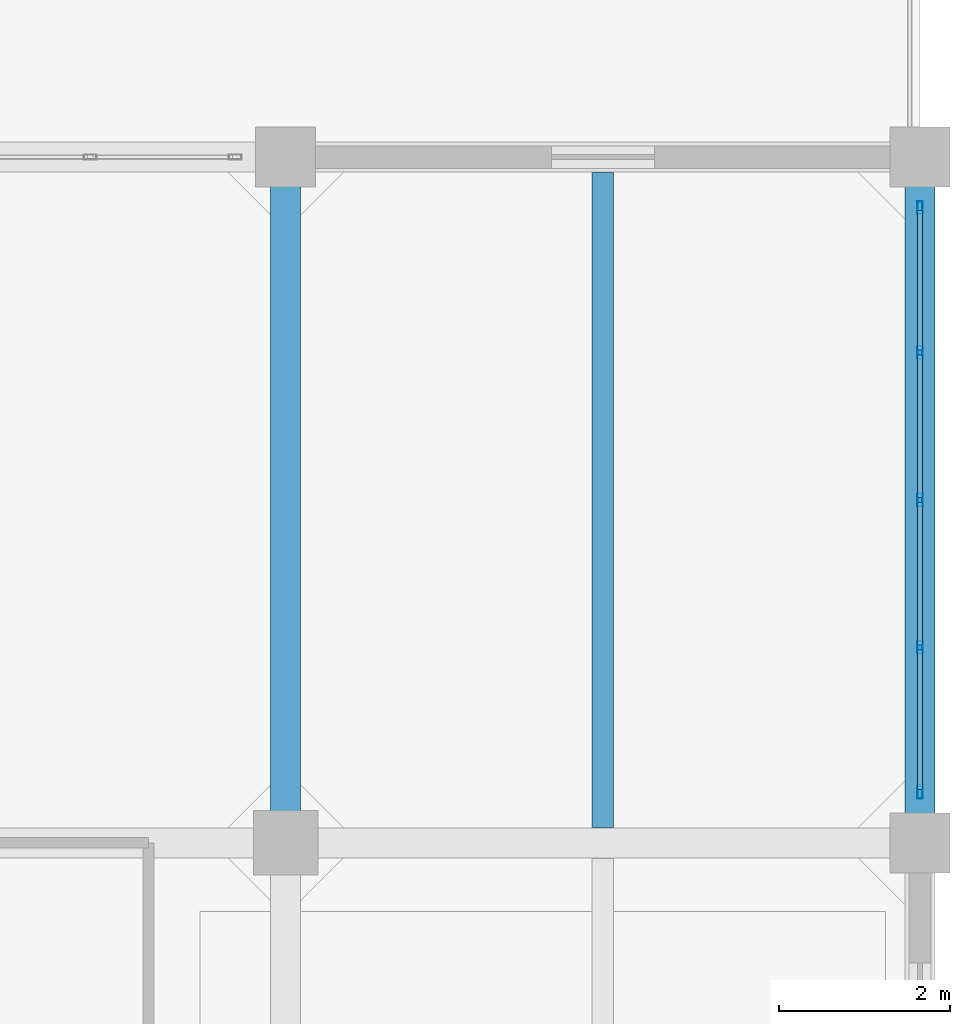
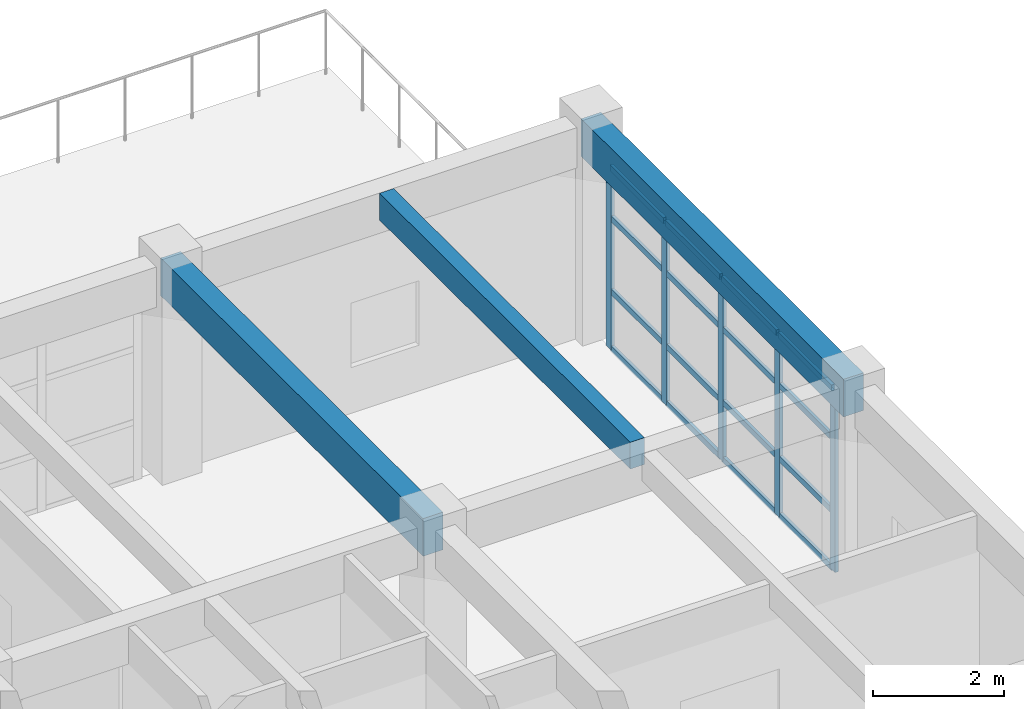
# One storey, part 10 of 19: 21 members, 3 beams, 1 element without a shape of its own.
"""IFC4 building model written with IfcOpenShell, lengths in metres."""

from ifc_helpers import new_model, si_unit, direction, frame, origin, origin_2d, place, context, subcontext, project, spatial, rectangle, hollow_rectangle, extrude, material, layer, layer_set, material_profile, profile_set, type_object, element, aggregate, save


model = new_model("IFC4")

# Units and contexts
model_context = context("Model", 3, precision=1e-05, world=origin(), true_north=direction((0.0, 1.0)))
body_context = subcontext(model_context, "Body", "Model", "MODEL_VIEW")
ifc_project = project(units=[si_unit("LENGTHUNIT", "METRE"), si_unit("AREAUNIT", "SQUARE_METRE"), si_unit("VOLUMEUNIT", "CUBIC_METRE"), si_unit("PLANEANGLEUNIT", "RADIAN"), si_unit("MASSUNIT", "GRAM", prefix="KILO")], contexts=[model_context])

# Site, building, storey
site_placement = place(None, origin())
site = spatial("IfcSite", under=ifc_project, at=site_placement, CompositionType="ELEMENT")
building_placement = place(site_placement, origin())
building = spatial("IfcBuilding", under=site, at=building_placement, Name="Canggui Botanical Conservatory", CompositionType="ELEMENT")
storey_placement = place(building_placement, frame((0.0, 0.0, 48.60009765625)))
storey = spatial("IfcBuildingStorey", under=building, at=storey_placement, Name="L12", CompositionType="ELEMENT", Elevation=48.60009765625)

# Beams
ifc_material_1 = material(Name="Concrete C35", Category="concrete")
ifc_material_profile_1 = material_profile(ifc_material_1, rectangle(XDim=0.25, YDim=0.5, at=origin_2d()), Name="RB 250x500")
ifc_profile_set_1 = profile_set([ifc_material_profile_1], Name="Concrete C35")
beam_type_1 = type_object("IfcBeamType", Name="BM-JST04", PredefinedType="JOIST", material=ifc_profile_set_1)
beam_placement = place(storey_placement, frame((173.699951171875, 58.179931640625, 3.7099609375), z_axis=(0.0, 1.0, 0.0), x_axis=(-1.0, 0.0, 0.0)))
element("IfcBeam", 1, at=beam_placement, inside=storey, type_object=beam_type_1, Name="Secondary Floor Joist L12-4-4", PredefinedType="JOIST", context=body_context, shape_type="SweptSolid", body=[
    extrude(rectangle(XDim=0.25, YDim=0.5, at=origin_2d()), origin(), (0.0, 0.0, 1.0), 7.64013671875),
])
ifc_material_profile_2 = material_profile(ifc_material_1, rectangle(XDim=0.35009765625, YDim=0.699951171875, at=origin_2d()), Name="RB 350x700")
ifc_profile_set_2 = profile_set([ifc_material_profile_2], Name="Concrete C35")
beam_type_2 = type_object("IfcBeamType", Name="BM-KL17", PredefinedType="BEAM", material=ifc_profile_set_2)
for number, where, z_axis, x_axis, name in (
    (2, (170.0, 58.0, 3.60986328125), (0.0, 1.0, 0.0), (-1.0, 0.0, 0.0), "Frame Girder L12 X170-4"),
    (3, (177.39990234375, 58.0, 3.60986328125), (0.0, 1.0, 0.0), (-1.0, 0.0, 0.0), "Frame Girder L12 X178-4"),
):
    element("IfcBeam", number, at=place(storey_placement, frame(where, z_axis=z_axis, x_axis=x_axis)), inside=storey, type_object=beam_type_2, Name=name, PredefinedType="BEAM", context=body_context, shape_type="SweptSolid", body=[
        extrude(rectangle(XDim=0.35009765625, YDim=0.699951171875, at=origin_2d()), origin(), (0.0, 0.0, 1.0), 8.0),
    ])

# Curtain wall, members
ifc_material_2 = material(Name="Thermally Broken Aluminium", Category="aluminium")
ifc_layer = layer(ifc_material_2, 0.14990234375, Name="Thermally Broken Aluminium", Category="aluminium")
ifc_layer_set = layer_set([ifc_layer], Name="Thermally Broken Aluminium")
curtain_wall_type = type_object("IfcCurtainWallType", Name="CW-UNIT-C", PredefinedType="USERDEFINED", material=ifc_layer_set)
curtain_wall_placement = place(storey_placement, origin())
curtain_wall = element("IfcCurtainWall", 4, at=curtain_wall_placement, inside=storey, type_object=curtain_wall_type, Name="Facade Curtain Wall CW-TWR-L12-12", ObjectType="UNITISED CURTAIN WALL", PredefinedType="USERDEFINED")
ifc_material_profile_3 = material_profile(ifc_material_2, hollow_rectangle(XDim=0.06005859375, YDim=0.14990234375, WallThickness=0.00341796875, at=origin_2d()), Name="CWM 60x150x3.5")
ifc_profile_set_3 = profile_set([ifc_material_profile_3], Name="Thermally Broken Aluminium")
member_type_1 = type_object("IfcMemberType", Name="CWM-03", PredefinedType="MULLION", material=ifc_profile_set_3)
member_1_placement = place(storey_placement, frame((177.39990234375, 65.409912109375, 0.0), z_axis=(0.0, 0.0, 1.0), x_axis=(1.0, 0.0, 0.0)))
member_1 = element("IfcMember", 5, at=member_1_placement, type_object=member_type_1, Name="CW-03 mullion 1", PredefinedType="MULLION", context=body_context, shape_type="SweptSolid", body=[
    extrude(hollow_rectangle(XDim=0.06005859375, YDim=0.14990234375, WallThickness=0.00341796875, at=origin_2d()), origin(), (0.0, 0.0, 1.0), 3.39990234375),
])
member_2_placement = place(storey_placement, frame((177.39990234375, 63.719970703125, 0.0), z_axis=(0.0, 0.0, 1.0), x_axis=(1.0, 0.0, 0.0)))
member_2 = element("IfcMember", 6, at=member_2_placement, type_object=member_type_1, Name="CW-03 mullion 2", PredefinedType="MULLION", context=body_context, shape_type="SweptSolid", body=[
    extrude(hollow_rectangle(XDim=0.06005859375, YDim=0.14990234375, WallThickness=0.00341796875, at=origin_2d()), origin(), (0.0, 0.0, 1.0), 3.39990234375),
])
member_3_placement = place(storey_placement, frame((177.39990234375, 62.0, 0.0), z_axis=(0.0, 0.0, 1.0), x_axis=(1.0, 0.0, 0.0)))
member_3 = element("IfcMember", 7, at=member_3_placement, type_object=member_type_1, Name="CW-03 mullion 3", PredefinedType="MULLION", context=body_context, shape_type="SweptSolid", body=[
    extrude(hollow_rectangle(XDim=0.06005859375, YDim=0.14990234375, WallThickness=0.00341796875, at=origin_2d()), origin(), (0.0, 0.0, 1.0), 3.39990234375),
])
member_4_placement = place(storey_placement, frame((177.39990234375, 60.280029296875, 0.0), z_axis=(0.0, 0.0, 1.0), x_axis=(1.0, 0.0, 0.0)))
member_4 = element("IfcMember", 8, at=member_4_placement, type_object=member_type_1, Name="CW-03 mullion 4", PredefinedType="MULLION", context=body_context, shape_type="SweptSolid", body=[
    extrude(hollow_rectangle(XDim=0.06005859375, YDim=0.14990234375, WallThickness=0.00341796875, at=origin_2d()), origin(), (0.0, 0.0, 1.0), 3.39990234375),
])
member_5_placement = place(storey_placement, frame((177.39990234375, 58.590087890625, 0.0), z_axis=(0.0, 0.0, 1.0), x_axis=(1.0, 0.0, 0.0)))
member_5 = element("IfcMember", 9, at=member_5_placement, type_object=member_type_1, Name="CW-03 mullion 5", PredefinedType="MULLION", context=body_context, shape_type="SweptSolid", body=[
    extrude(hollow_rectangle(XDim=0.06005859375, YDim=0.14990234375, WallThickness=0.00341796875, at=origin_2d()), origin(), (0.0, 0.0, 1.0), 3.39990234375),
])
ifc_material_profile_4 = material_profile(ifc_material_2, hollow_rectangle(XDim=0.054931640625, YDim=0.110107421875, WallThickness=0.0029296875, at=origin_2d()), Name="CWT 55x110x3")
ifc_profile_set_4 = profile_set([ifc_material_profile_4], Name="Thermally Broken Aluminium")
member_type_2 = type_object("IfcMemberType", Name="CWT-03", PredefinedType="USERDEFINED", material=ifc_profile_set_4)
member_6_placement = place(storey_placement, frame((177.39990234375, 65.3798828125, 0.02734375), z_axis=(0.0, -1.0, 0.0), x_axis=(1.0, 0.0, 0.0)))
member_6 = element("IfcMember", 10, at=member_6_placement, type_object=member_type_2, Name="CW-03 transom 1.1", ObjectType="TRANSOM", PredefinedType="USERDEFINED", context=body_context, shape_type="SweptSolid", body=[
    extrude(hollow_rectangle(XDim=0.054931640625, YDim=0.110107421875, WallThickness=0.0029296875, at=origin_2d()), origin(), (0.0, 0.0, 1.0), 1.6298828125),
])
member_7_placement = place(storey_placement, frame((177.39990234375, 65.3798828125, 1.087890625), z_axis=(0.0, -1.0, 0.0), x_axis=(1.0, 0.0, 0.0)))
member_7 = element("IfcMember", 11, at=member_7_placement, type_object=member_type_2, Name="CW-03 transom 1.2", ObjectType="TRANSOM", PredefinedType="USERDEFINED", context=body_context, shape_type="SweptSolid", body=[
    extrude(hollow_rectangle(XDim=0.054931640625, YDim=0.110107421875, WallThickness=0.0029296875, at=origin_2d()), origin(), (0.0, 0.0, 1.0), 1.6298828125),
])
member_8_placement = place(storey_placement, frame((177.39990234375, 65.3798828125, 2.447998046875), z_axis=(0.0, -1.0, 0.0), x_axis=(1.0, 0.0, 0.0)))
member_8 = element("IfcMember", 12, at=member_8_placement, type_object=member_type_2, Name="CW-03 transom 1.3", ObjectType="TRANSOM", PredefinedType="USERDEFINED", context=body_context, shape_type="SweptSolid", body=[
    extrude(hollow_rectangle(XDim=0.054931640625, YDim=0.110107421875, WallThickness=0.0029296875, at=origin_2d()), origin(), (0.0, 0.0, 1.0), 1.6298828125),
])
member_9_placement = place(storey_placement, frame((177.39990234375, 65.3798828125, 3.372314453125), z_axis=(0.0, -1.0, 0.0), x_axis=(1.0, 0.0, 0.0)))
member_9 = element("IfcMember", 13, at=member_9_placement, type_object=member_type_2, Name="CW-03 transom 1.4", ObjectType="TRANSOM", PredefinedType="USERDEFINED", context=body_context, shape_type="SweptSolid", body=[
    extrude(hollow_rectangle(XDim=0.054931640625, YDim=0.110107421875, WallThickness=0.0029296875, at=origin_2d()), origin(), (0.0, 0.0, 1.0), 1.6298828125),
])
member_10_placement = place(storey_placement, frame((177.39990234375, 63.68994140625, 0.02734375), z_axis=(0.0, -1.0, 0.0), x_axis=(1.0, 0.0, 0.0)))
member_10 = element("IfcMember", 14, at=member_10_placement, type_object=member_type_2, Name="CW-03 transom 2.1", ObjectType="TRANSOM", PredefinedType="USERDEFINED", context=body_context, shape_type="SweptSolid", body=[
    extrude(hollow_rectangle(XDim=0.054931640625, YDim=0.110107421875, WallThickness=0.0029296875, at=origin_2d()), origin(), (0.0, 0.0, 1.0), 1.659912109375),
])
member_11_placement = place(storey_placement, frame((177.39990234375, 63.68994140625, 1.087890625), z_axis=(0.0, -1.0, 0.0), x_axis=(1.0, 0.0, 0.0)))
member_11 = element("IfcMember", 15, at=member_11_placement, type_object=member_type_2, Name="CW-03 transom 2.2", ObjectType="TRANSOM", PredefinedType="USERDEFINED", context=body_context, shape_type="SweptSolid", body=[
    extrude(hollow_rectangle(XDim=0.054931640625, YDim=0.110107421875, WallThickness=0.0029296875, at=origin_2d()), origin(), (0.0, 0.0, 1.0), 1.659912109375),
])
member_12_placement = place(storey_placement, frame((177.39990234375, 63.68994140625, 2.447998046875), z_axis=(0.0, -1.0, 0.0), x_axis=(1.0, 0.0, 0.0)))
member_12 = element("IfcMember", 16, at=member_12_placement, type_object=member_type_2, Name="CW-03 transom 2.3", ObjectType="TRANSOM", PredefinedType="USERDEFINED", context=body_context, shape_type="SweptSolid", body=[
    extrude(hollow_rectangle(XDim=0.054931640625, YDim=0.110107421875, WallThickness=0.0029296875, at=origin_2d()), origin(), (0.0, 0.0, 1.0), 1.659912109375),
])
member_13_placement = place(storey_placement, frame((177.39990234375, 63.68994140625, 3.372314453125), z_axis=(0.0, -1.0, 0.0), x_axis=(1.0, 0.0, 0.0)))
member_13 = element("IfcMember", 17, at=member_13_placement, type_object=member_type_2, Name="CW-03 transom 2.4", ObjectType="TRANSOM", PredefinedType="USERDEFINED", context=body_context, shape_type="SweptSolid", body=[
    extrude(hollow_rectangle(XDim=0.054931640625, YDim=0.110107421875, WallThickness=0.0029296875, at=origin_2d()), origin(), (0.0, 0.0, 1.0), 1.659912109375),
])
member_14_placement = place(storey_placement, frame((177.39990234375, 61.969970703125, 0.02734375), z_axis=(0.0, -1.0, 0.0), x_axis=(1.0, 0.0, 0.0)))
member_14 = element("IfcMember", 18, at=member_14_placement, type_object=member_type_2, Name="CW-03 transom 3.1", ObjectType="TRANSOM", PredefinedType="USERDEFINED", context=body_context, shape_type="SweptSolid", body=[
    extrude(hollow_rectangle(XDim=0.054931640625, YDim=0.110107421875, WallThickness=0.0029296875, at=origin_2d()), origin(), (0.0, 0.0, 1.0), 1.659912109375),
])
member_15_placement = place(storey_placement, frame((177.39990234375, 61.969970703125, 1.087890625), z_axis=(0.0, -1.0, 0.0), x_axis=(1.0, 0.0, 0.0)))
member_15 = element("IfcMember", 19, at=member_15_placement, type_object=member_type_2, Name="CW-03 transom 3.2", ObjectType="TRANSOM", PredefinedType="USERDEFINED", context=body_context, shape_type="SweptSolid", body=[
    extrude(hollow_rectangle(XDim=0.054931640625, YDim=0.110107421875, WallThickness=0.0029296875, at=origin_2d()), origin(), (0.0, 0.0, 1.0), 1.659912109375),
])
member_16_placement = place(storey_placement, frame((177.39990234375, 61.969970703125, 2.447998046875), z_axis=(0.0, -1.0, 0.0), x_axis=(1.0, 0.0, 0.0)))
member_16 = element("IfcMember", 20, at=member_16_placement, type_object=member_type_2, Name="CW-03 transom 3.3", ObjectType="TRANSOM", PredefinedType="USERDEFINED", context=body_context, shape_type="SweptSolid", body=[
    extrude(hollow_rectangle(XDim=0.054931640625, YDim=0.110107421875, WallThickness=0.0029296875, at=origin_2d()), origin(), (0.0, 0.0, 1.0), 1.659912109375),
])
member_17_placement = place(storey_placement, frame((177.39990234375, 61.969970703125, 3.372314453125), z_axis=(0.0, -1.0, 0.0), x_axis=(1.0, 0.0, 0.0)))
member_17 = element("IfcMember", 21, at=member_17_placement, type_object=member_type_2, Name="CW-03 transom 3.4", ObjectType="TRANSOM", PredefinedType="USERDEFINED", context=body_context, shape_type="SweptSolid", body=[
    extrude(hollow_rectangle(XDim=0.054931640625, YDim=0.110107421875, WallThickness=0.0029296875, at=origin_2d()), origin(), (0.0, 0.0, 1.0), 1.659912109375),
])
member_18_placement = place(storey_placement, frame((177.39990234375, 60.25, 0.02734375), z_axis=(0.0, -1.0, 0.0), x_axis=(1.0, 0.0, 0.0)))
member_18 = element("IfcMember", 22, at=member_18_placement, type_object=member_type_2, Name="CW-03 transom 4.1", ObjectType="TRANSOM", PredefinedType="USERDEFINED", context=body_context, shape_type="SweptSolid", body=[
    extrude(hollow_rectangle(XDim=0.054931640625, YDim=0.110107421875, WallThickness=0.0029296875, at=origin_2d()), origin(), (0.0, 0.0, 1.0), 1.6298828125),
])
member_19_placement = place(storey_placement, frame((177.39990234375, 60.25, 1.087890625), z_axis=(0.0, -1.0, 0.0), x_axis=(1.0, 0.0, 0.0)))
member_19 = element("IfcMember", 23, at=member_19_placement, type_object=member_type_2, Name="CW-03 transom 4.2", ObjectType="TRANSOM", PredefinedType="USERDEFINED", context=body_context, shape_type="SweptSolid", body=[
    extrude(hollow_rectangle(XDim=0.054931640625, YDim=0.110107421875, WallThickness=0.0029296875, at=origin_2d()), origin(), (0.0, 0.0, 1.0), 1.6298828125),
])
member_20_placement = place(storey_placement, frame((177.39990234375, 60.25, 2.447998046875), z_axis=(0.0, -1.0, 0.0), x_axis=(1.0, 0.0, 0.0)))
member_20 = element("IfcMember", 24, at=member_20_placement, type_object=member_type_2, Name="CW-03 transom 4.3", ObjectType="TRANSOM", PredefinedType="USERDEFINED", context=body_context, shape_type="SweptSolid", body=[
    extrude(hollow_rectangle(XDim=0.054931640625, YDim=0.110107421875, WallThickness=0.0029296875, at=origin_2d()), origin(), (0.0, 0.0, 1.0), 1.6298828125),
])
member_21_placement = place(storey_placement, frame((177.39990234375, 60.25, 3.372314453125), z_axis=(0.0, -1.0, 0.0), x_axis=(1.0, 0.0, 0.0)))
member_21 = element("IfcMember", 25, at=member_21_placement, type_object=member_type_2, Name="CW-03 transom 4.4", ObjectType="TRANSOM", PredefinedType="USERDEFINED", context=body_context, shape_type="SweptSolid", body=[
    extrude(hollow_rectangle(XDim=0.054931640625, YDim=0.110107421875, WallThickness=0.0029296875, at=origin_2d()), origin(), (0.0, 0.0, 1.0), 1.6298828125),
])
aggregate(curtain_wall, [member_1, member_2, member_3, member_4, member_5, member_6, member_7, member_8, member_9, member_10, member_11, member_12, member_13, member_14, member_15, member_16, member_17, member_18, member_19, member_20, member_21])

save(model, "model.ifc")
